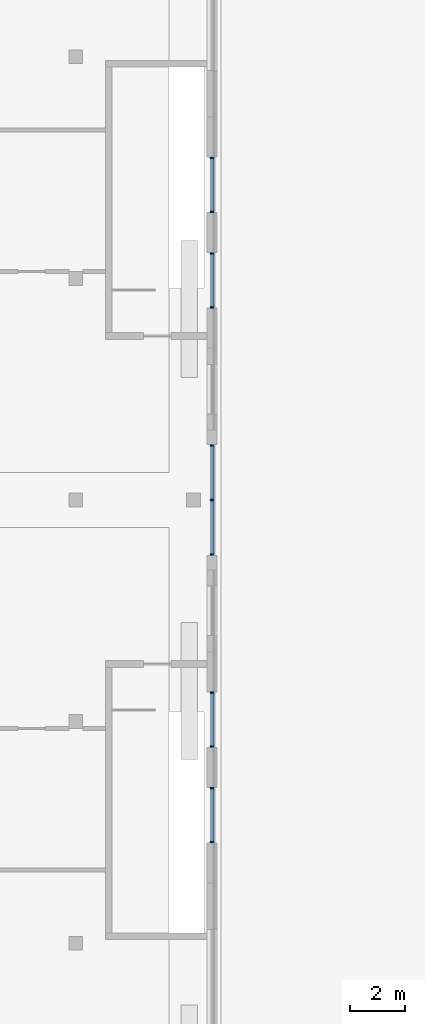
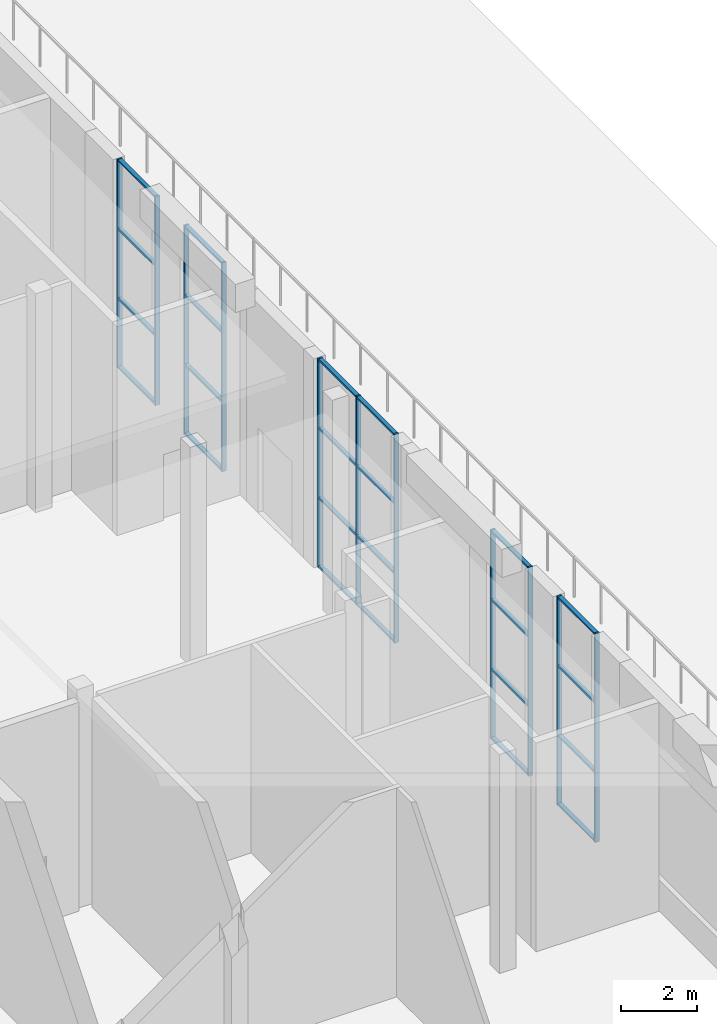
# One storey, part 3 of 21: 35 members, 5 elements without a shape of their own.
"""IFC4 building model written with IfcOpenShell, lengths in metres."""

from ifc_helpers import new_model, si_unit, direction, frame, origin, origin_2d, place, context, subcontext, project, spatial, rectangle, extrude, material, material_profile, profile_set, type_object, element, aggregate, save


model = new_model("IFC4")

# Units and contexts
model_context = context("Model", 3, precision=1e-05, world=origin(), true_north=direction((0.0, 1.0)))
body_context = subcontext(model_context, "Body", "Model", "MODEL_VIEW")
ifc_project = project(units=[si_unit("LENGTHUNIT", "METRE"), si_unit("AREAUNIT", "SQUARE_METRE"), si_unit("VOLUMEUNIT", "CUBIC_METRE"), si_unit("PLANEANGLEUNIT", "RADIAN"), si_unit("MASSUNIT", "GRAM", prefix="KILO")], contexts=[model_context])

# Site, building, storey
site_placement = place(None, origin())
site = spatial("IfcSite", under=ifc_project, at=site_placement, CompositionType="ELEMENT")
building_placement = place(site_placement, origin())
building = spatial("IfcBuilding", under=site, at=building_placement, Name="Torre Triforio", CompositionType="ELEMENT")
storey_placement = place(building_placement, frame((0.0, 0.0, 6.0)))
storey = spatial("IfcBuildingStorey", under=building, at=storey_placement, Name="L01", CompositionType="ELEMENT", Elevation=6.0)

# Curtain wall, members
ifc_material_1 = material(Name="Aluminium mullion and transom frame with clear laminated glass", Category="aluminium")
curtain_wall_type = type_object("IfcCurtainWallType", Name="Terrace lounge curtain wall ECW5", PredefinedType="NOTDEFINED", material=ifc_material_1)
curtain_wall_1_placement = place(storey_placement, origin())
curtain_wall_1 = element("IfcCurtainWall", 1, at=curtain_wall_1_placement, inside=storey, type_object=curtain_wall_type, Name="Terrace lounge curtain wall L01 09.1.2.1", PredefinedType="NOTDEFINED")
ifc_material_2 = material(Name="Anodised aluminium extrusion", Category="aluminium")
ifc_material_profile_1 = material_profile(ifc_material_2, rectangle(XDim=0.139892578125, YDim=0.054931640625, at=origin_2d()), Name="ECW5 MULLION 55x140")
ifc_profile_set_1 = profile_set([ifc_material_profile_1], Name="Anodised aluminium extrusion")
member_type_1 = type_object("IfcMemberType", Name="ECW5 mullion 55 x 140", PredefinedType="MULLION", material=ifc_profile_set_1)
member_1_placement = place(storey_placement, frame((61.675048828125, -12.505859375, 0.0), z_axis=(0.0, 0.0, 1.0), x_axis=(-1.0, 0.0, 0.0)))
member_1 = element("IfcMember", 2, at=member_1_placement, type_object=member_type_1, Name="ECW5 mullion 1", PredefinedType="MULLION", context=body_context, shape_type="SweptSolid", body=[
    extrude(rectangle(XDim=0.139892578125, YDim=0.054931640625, at=origin_2d()), origin(), (0.0, 0.0, 1.0), 6.679931640625),
])
member_2_placement = place(storey_placement, frame((61.675048828125, -10.535888671875, 0.0), z_axis=(0.0, 0.0, 1.0), x_axis=(-1.0, 0.0, 0.0)))
member_2 = element("IfcMember", 3, at=member_2_placement, type_object=member_type_1, Name="ECW5 mullion 2", PredefinedType="MULLION", context=body_context, shape_type="SweptSolid", body=[
    extrude(rectangle(XDim=0.139892578125, YDim=0.054931640625, at=origin_2d()), origin(), (0.0, 0.0, 1.0), 6.679931640625),
])

curtain_wall_2_placement = place(storey_placement, origin())
curtain_wall_2 = element("IfcCurtainWall", 4, at=curtain_wall_2_placement, inside=storey, type_object=curtain_wall_type, Name="Terrace lounge curtain wall L01 09.1.2.2", PredefinedType="NOTDEFINED")
member_3_placement = place(storey_placement, frame((61.675048828125, -9.01416015625, 0.0), z_axis=(0.0, 0.0, 1.0), x_axis=(-1.0, 0.0, 0.0)))
member_3 = element("IfcMember", 5, at=member_3_placement, type_object=member_type_1, Name="ECW5 mullion 1", PredefinedType="MULLION", context=body_context, shape_type="SweptSolid", body=[
    extrude(rectangle(XDim=0.139892578125, YDim=0.054931640625, at=origin_2d()), origin(), (0.0, 0.0, 1.0), 6.679931640625),
])
member_4_placement = place(storey_placement, frame((61.675048828125, -7.044189453125, 0.0), z_axis=(0.0, 0.0, 1.0), x_axis=(-1.0, 0.0, 0.0)))
member_4 = element("IfcMember", 6, at=member_4_placement, type_object=member_type_1, Name="ECW5 mullion 2", PredefinedType="MULLION", context=body_context, shape_type="SweptSolid", body=[
    extrude(rectangle(XDim=0.139892578125, YDim=0.054931640625, at=origin_2d()), origin(), (0.0, 0.0, 1.0), 6.679931640625),
])

curtain_wall_3_placement = place(storey_placement, origin())
curtain_wall_3 = element("IfcCurtainWall", 7, at=curtain_wall_3_placement, inside=storey, type_object=curtain_wall_type, Name="Terrace lounge curtain wall L01 09.3.1.1", PredefinedType="NOTDEFINED")
member_5_placement = place(storey_placement, frame((61.675048828125, -1.99755859375, 0.0), z_axis=(0.0, 0.0, 1.0), x_axis=(-1.0, 0.0, 0.0)))
member_5 = element("IfcMember", 8, at=member_5_placement, type_object=member_type_1, Name="ECW5 mullion 1", PredefinedType="MULLION", context=body_context, shape_type="SweptSolid", body=[
    extrude(rectangle(XDim=0.139892578125, YDim=0.054931640625, at=origin_2d()), origin(), (0.0, 0.0, 1.0), 6.679931640625),
])
member_6_placement = place(storey_placement, frame((61.675048828125, 0.0, 0.0), z_axis=(0.0, 0.0, 1.0), x_axis=(-1.0, 0.0, 0.0)))
member_6 = element("IfcMember", 9, at=member_6_placement, type_object=member_type_1, Name="ECW5 mullion 2", PredefinedType="MULLION", context=body_context, shape_type="SweptSolid", body=[
    extrude(rectangle(XDim=0.139892578125, YDim=0.054931640625, at=origin_2d()), origin(), (0.0, 0.0, 1.0), 6.679931640625),
])
member_7_placement = place(storey_placement, frame((61.675048828125, 1.99755859375, 0.0), z_axis=(0.0, 0.0, 1.0), x_axis=(-1.0, 0.0, 0.0)))
member_7 = element("IfcMember", 10, at=member_7_placement, type_object=member_type_1, Name="ECW5 mullion 3", PredefinedType="MULLION", context=body_context, shape_type="SweptSolid", body=[
    extrude(rectangle(XDim=0.139892578125, YDim=0.054931640625, at=origin_2d()), origin(), (0.0, 0.0, 1.0), 6.679931640625),
])

curtain_wall_4_placement = place(storey_placement, origin())
curtain_wall_4 = element("IfcCurtainWall", 11, at=curtain_wall_4_placement, inside=storey, type_object=curtain_wall_type, Name="Terrace lounge curtain wall L01 09.5.1.1", PredefinedType="NOTDEFINED")
member_8_placement = place(storey_placement, frame((61.675048828125, 7.044189453125, 0.0), z_axis=(0.0, 0.0, 1.0), x_axis=(-1.0, 0.0, 0.0)))
member_8 = element("IfcMember", 12, at=member_8_placement, type_object=member_type_1, Name="ECW5 mullion 1", PredefinedType="MULLION", context=body_context, shape_type="SweptSolid", body=[
    extrude(rectangle(XDim=0.139892578125, YDim=0.054931640625, at=origin_2d()), origin(), (0.0, 0.0, 1.0), 6.679931640625),
])
member_9_placement = place(storey_placement, frame((61.675048828125, 9.01416015625, 0.0), z_axis=(0.0, 0.0, 1.0), x_axis=(-1.0, 0.0, 0.0)))
member_9 = element("IfcMember", 13, at=member_9_placement, type_object=member_type_1, Name="ECW5 mullion 2", PredefinedType="MULLION", context=body_context, shape_type="SweptSolid", body=[
    extrude(rectangle(XDim=0.139892578125, YDim=0.054931640625, at=origin_2d()), origin(), (0.0, 0.0, 1.0), 6.679931640625),
])

curtain_wall_5_placement = place(storey_placement, origin())
curtain_wall_5 = element("IfcCurtainWall", 14, at=curtain_wall_5_placement, inside=storey, type_object=curtain_wall_type, Name="Terrace lounge curtain wall L01 09.5.1.2", PredefinedType="NOTDEFINED")
member_10_placement = place(storey_placement, frame((61.675048828125, 10.535888671875, 0.0), z_axis=(0.0, 0.0, 1.0), x_axis=(-1.0, 0.0, 0.0)))
member_10 = element("IfcMember", 15, at=member_10_placement, type_object=member_type_1, Name="ECW5 mullion 1", PredefinedType="MULLION", context=body_context, shape_type="SweptSolid", body=[
    extrude(rectangle(XDim=0.139892578125, YDim=0.054931640625, at=origin_2d()), origin(), (0.0, 0.0, 1.0), 6.679931640625),
])
member_11_placement = place(storey_placement, frame((61.675048828125, 12.505859375, 0.0), z_axis=(0.0, 0.0, 1.0), x_axis=(-1.0, 0.0, 0.0)))
member_11 = element("IfcMember", 16, at=member_11_placement, type_object=member_type_1, Name="ECW5 mullion 2", PredefinedType="MULLION", context=body_context, shape_type="SweptSolid", body=[
    extrude(rectangle(XDim=0.139892578125, YDim=0.054931640625, at=origin_2d()), origin(), (0.0, 0.0, 1.0), 6.679931640625),
])

# Member
ifc_material_profile_2 = material_profile(ifc_material_2, rectangle(XDim=0.1201171875, YDim=0.06005859375, at=origin_2d()), Name="ECW5 TRANSOM 60x120")
ifc_profile_set_2 = profile_set([ifc_material_profile_2], Name="Anodised aluminium extrusion")
member_type_2 = type_object("IfcMemberType", Name="ECW5 transom 60 x 120", PredefinedType="USERDEFINED", material=ifc_profile_set_2)
member_12_placement = place(storey_placement, frame((61.675048828125, -12.478271484375, 0.030029296875), z_axis=(0.0, 1.0, 0.0), x_axis=(-1.0, 0.0, 0.0)))
member_12 = element("IfcMember", 17, at=member_12_placement, type_object=member_type_2, Name="ECW5 transom 1.1", ObjectType="TRANSOM", PredefinedType="USERDEFINED", context=body_context, shape_type="SweptSolid", body=[
    extrude(rectangle(XDim=0.1201171875, YDim=0.06005859375, at=origin_2d()), origin(), (0.0, 0.0, 1.0), 1.9150390625),
])

member_13_placement = place(storey_placement, frame((61.675048828125, -12.478271484375, 2.226806640625), z_axis=(0.0, 1.0, 0.0), x_axis=(-1.0, 0.0, 0.0)))
member_13 = element("IfcMember", 18, at=member_13_placement, type_object=member_type_2, Name="ECW5 transom 1.2", ObjectType="TRANSOM", PredefinedType="USERDEFINED", context=body_context, shape_type="SweptSolid", body=[
    extrude(rectangle(XDim=0.1201171875, YDim=0.06005859375, at=origin_2d()), origin(), (0.0, 0.0, 1.0), 1.9150390625),
])

member_14_placement = place(storey_placement, frame((61.675048828125, -12.478271484375, 4.453369140625), z_axis=(0.0, 1.0, 0.0), x_axis=(-1.0, 0.0, 0.0)))
member_14 = element("IfcMember", 19, at=member_14_placement, type_object=member_type_2, Name="ECW5 transom 1.3", ObjectType="TRANSOM", PredefinedType="USERDEFINED", context=body_context, shape_type="SweptSolid", body=[
    extrude(rectangle(XDim=0.1201171875, YDim=0.06005859375, at=origin_2d()), origin(), (0.0, 0.0, 1.0), 1.9150390625),
])

member_15_placement = place(storey_placement, frame((61.675048828125, -12.478271484375, 6.64990234375), z_axis=(0.0, 1.0, 0.0), x_axis=(-1.0, 0.0, 0.0)))
member_15 = element("IfcMember", 20, at=member_15_placement, type_object=member_type_2, Name="ECW5 transom 1.4", ObjectType="TRANSOM", PredefinedType="USERDEFINED", context=body_context, shape_type="SweptSolid", body=[
    extrude(rectangle(XDim=0.1201171875, YDim=0.06005859375, at=origin_2d()), origin(), (0.0, 0.0, 1.0), 1.9150390625),
])

aggregate(curtain_wall_1, [member_1, member_2, member_12, member_13, member_14, member_15])

member_16_placement = place(storey_placement, frame((61.675048828125, -8.98681640625, 0.030029296875), z_axis=(0.0, 1.0, 0.0), x_axis=(-1.0, 0.0, 0.0)))
member_16 = element("IfcMember", 21, at=member_16_placement, type_object=member_type_2, Name="ECW5 transom 1.1", ObjectType="TRANSOM", PredefinedType="USERDEFINED", context=body_context, shape_type="SweptSolid", body=[
    extrude(rectangle(XDim=0.1201171875, YDim=0.06005859375, at=origin_2d()), origin(), (0.0, 0.0, 1.0), 1.9150390625),
])

member_17_placement = place(storey_placement, frame((61.675048828125, -8.98681640625, 2.226806640625), z_axis=(0.0, 1.0, 0.0), x_axis=(-1.0, 0.0, 0.0)))
member_17 = element("IfcMember", 22, at=member_17_placement, type_object=member_type_2, Name="ECW5 transom 1.2", ObjectType="TRANSOM", PredefinedType="USERDEFINED", context=body_context, shape_type="SweptSolid", body=[
    extrude(rectangle(XDim=0.1201171875, YDim=0.06005859375, at=origin_2d()), origin(), (0.0, 0.0, 1.0), 1.9150390625),
])

member_18_placement = place(storey_placement, frame((61.675048828125, -8.98681640625, 4.453369140625), z_axis=(0.0, 1.0, 0.0), x_axis=(-1.0, 0.0, 0.0)))
member_18 = element("IfcMember", 23, at=member_18_placement, type_object=member_type_2, Name="ECW5 transom 1.3", ObjectType="TRANSOM", PredefinedType="USERDEFINED", context=body_context, shape_type="SweptSolid", body=[
    extrude(rectangle(XDim=0.1201171875, YDim=0.06005859375, at=origin_2d()), origin(), (0.0, 0.0, 1.0), 1.9150390625),
])

member_19_placement = place(storey_placement, frame((61.675048828125, -8.98681640625, 6.64990234375), z_axis=(0.0, 1.0, 0.0), x_axis=(-1.0, 0.0, 0.0)))
member_19 = element("IfcMember", 24, at=member_19_placement, type_object=member_type_2, Name="ECW5 transom 1.4", ObjectType="TRANSOM", PredefinedType="USERDEFINED", context=body_context, shape_type="SweptSolid", body=[
    extrude(rectangle(XDim=0.1201171875, YDim=0.06005859375, at=origin_2d()), origin(), (0.0, 0.0, 1.0), 1.9150390625),
])

aggregate(curtain_wall_2, [member_3, member_4, member_16, member_17, member_18, member_19])

member_20_placement = place(storey_placement, frame((61.675048828125, -1.969970703125, 0.030029296875), z_axis=(0.0, 1.0, 0.0), x_axis=(-1.0, 0.0, 0.0)))
member_20 = element("IfcMember", 25, at=member_20_placement, type_object=member_type_2, Name="ECW5 transom 1.1", ObjectType="TRANSOM", PredefinedType="USERDEFINED", context=body_context, shape_type="SweptSolid", body=[
    extrude(rectangle(XDim=0.1201171875, YDim=0.06005859375, at=origin_2d()), origin(), (0.0, 0.0, 1.0), 1.9423828125),
])

member_21_placement = place(storey_placement, frame((61.675048828125, -1.969970703125, 2.226806640625), z_axis=(0.0, 1.0, 0.0), x_axis=(-1.0, 0.0, 0.0)))
member_21 = element("IfcMember", 26, at=member_21_placement, type_object=member_type_2, Name="ECW5 transom 1.2", ObjectType="TRANSOM", PredefinedType="USERDEFINED", context=body_context, shape_type="SweptSolid", body=[
    extrude(rectangle(XDim=0.1201171875, YDim=0.06005859375, at=origin_2d()), origin(), (0.0, 0.0, 1.0), 1.9423828125),
])

member_22_placement = place(storey_placement, frame((61.675048828125, -1.969970703125, 4.453369140625), z_axis=(0.0, 1.0, 0.0), x_axis=(-1.0, 0.0, 0.0)))
member_22 = element("IfcMember", 27, at=member_22_placement, type_object=member_type_2, Name="ECW5 transom 1.3", ObjectType="TRANSOM", PredefinedType="USERDEFINED", context=body_context, shape_type="SweptSolid", body=[
    extrude(rectangle(XDim=0.1201171875, YDim=0.06005859375, at=origin_2d()), origin(), (0.0, 0.0, 1.0), 1.9423828125),
])

member_23_placement = place(storey_placement, frame((61.675048828125, -1.969970703125, 6.64990234375), z_axis=(0.0, 1.0, 0.0), x_axis=(-1.0, 0.0, 0.0)))
member_23 = element("IfcMember", 28, at=member_23_placement, type_object=member_type_2, Name="ECW5 transom 1.4", ObjectType="TRANSOM", PredefinedType="USERDEFINED", context=body_context, shape_type="SweptSolid", body=[
    extrude(rectangle(XDim=0.1201171875, YDim=0.06005859375, at=origin_2d()), origin(), (0.0, 0.0, 1.0), 1.9423828125),
])

member_24_placement = place(storey_placement, frame((61.675048828125, 0.027587890625, 0.030029296875), z_axis=(0.0, 1.0, 0.0), x_axis=(-1.0, 0.0, 0.0)))
member_24 = element("IfcMember", 29, at=member_24_placement, type_object=member_type_2, Name="ECW5 transom 2.1", ObjectType="TRANSOM", PredefinedType="USERDEFINED", context=body_context, shape_type="SweptSolid", body=[
    extrude(rectangle(XDim=0.1201171875, YDim=0.06005859375, at=origin_2d()), origin(), (0.0, 0.0, 1.0), 1.9423828125),
])

member_25_placement = place(storey_placement, frame((61.675048828125, 0.027587890625, 2.226806640625), z_axis=(0.0, 1.0, 0.0), x_axis=(-1.0, 0.0, 0.0)))
member_25 = element("IfcMember", 30, at=member_25_placement, type_object=member_type_2, Name="ECW5 transom 2.2", ObjectType="TRANSOM", PredefinedType="USERDEFINED", context=body_context, shape_type="SweptSolid", body=[
    extrude(rectangle(XDim=0.1201171875, YDim=0.06005859375, at=origin_2d()), origin(), (0.0, 0.0, 1.0), 1.9423828125),
])

member_26_placement = place(storey_placement, frame((61.675048828125, 0.027587890625, 4.453369140625), z_axis=(0.0, 1.0, 0.0), x_axis=(-1.0, 0.0, 0.0)))
member_26 = element("IfcMember", 31, at=member_26_placement, type_object=member_type_2, Name="ECW5 transom 2.3", ObjectType="TRANSOM", PredefinedType="USERDEFINED", context=body_context, shape_type="SweptSolid", body=[
    extrude(rectangle(XDim=0.1201171875, YDim=0.06005859375, at=origin_2d()), origin(), (0.0, 0.0, 1.0), 1.9423828125),
])

member_27_placement = place(storey_placement, frame((61.675048828125, 0.027587890625, 6.64990234375), z_axis=(0.0, 1.0, 0.0), x_axis=(-1.0, 0.0, 0.0)))
member_27 = element("IfcMember", 32, at=member_27_placement, type_object=member_type_2, Name="ECW5 transom 2.4", ObjectType="TRANSOM", PredefinedType="USERDEFINED", context=body_context, shape_type="SweptSolid", body=[
    extrude(rectangle(XDim=0.1201171875, YDim=0.06005859375, at=origin_2d()), origin(), (0.0, 0.0, 1.0), 1.9423828125),
])

aggregate(curtain_wall_3, [member_5, member_6, member_7, member_20, member_21, member_22, member_23, member_24, member_25, member_26, member_27])

member_28_placement = place(storey_placement, frame((61.675048828125, 7.07177734375, 0.030029296875), z_axis=(0.0, 1.0, 0.0), x_axis=(-1.0, 0.0, 0.0)))
member_28 = element("IfcMember", 33, at=member_28_placement, type_object=member_type_2, Name="ECW5 transom 1.1", ObjectType="TRANSOM", PredefinedType="USERDEFINED", context=body_context, shape_type="SweptSolid", body=[
    extrude(rectangle(XDim=0.1201171875, YDim=0.06005859375, at=origin_2d()), origin(), (0.0, 0.0, 1.0), 1.9150390625),
])

member_29_placement = place(storey_placement, frame((61.675048828125, 7.07177734375, 2.226806640625), z_axis=(0.0, 1.0, 0.0), x_axis=(-1.0, 0.0, 0.0)))
member_29 = element("IfcMember", 34, at=member_29_placement, type_object=member_type_2, Name="ECW5 transom 1.2", ObjectType="TRANSOM", PredefinedType="USERDEFINED", context=body_context, shape_type="SweptSolid", body=[
    extrude(rectangle(XDim=0.1201171875, YDim=0.06005859375, at=origin_2d()), origin(), (0.0, 0.0, 1.0), 1.9150390625),
])

member_30_placement = place(storey_placement, frame((61.675048828125, 7.07177734375, 4.453369140625), z_axis=(0.0, 1.0, 0.0), x_axis=(-1.0, 0.0, 0.0)))
member_30 = element("IfcMember", 35, at=member_30_placement, type_object=member_type_2, Name="ECW5 transom 1.3", ObjectType="TRANSOM", PredefinedType="USERDEFINED", context=body_context, shape_type="SweptSolid", body=[
    extrude(rectangle(XDim=0.1201171875, YDim=0.06005859375, at=origin_2d()), origin(), (0.0, 0.0, 1.0), 1.9150390625),
])

member_31_placement = place(storey_placement, frame((61.675048828125, 7.07177734375, 6.64990234375), z_axis=(0.0, 1.0, 0.0), x_axis=(-1.0, 0.0, 0.0)))
member_31 = element("IfcMember", 36, at=member_31_placement, type_object=member_type_2, Name="ECW5 transom 1.4", ObjectType="TRANSOM", PredefinedType="USERDEFINED", context=body_context, shape_type="SweptSolid", body=[
    extrude(rectangle(XDim=0.1201171875, YDim=0.06005859375, at=origin_2d()), origin(), (0.0, 0.0, 1.0), 1.9150390625),
])

aggregate(curtain_wall_4, [member_8, member_9, member_28, member_29, member_30, member_31])

member_32_placement = place(storey_placement, frame((61.675048828125, 10.563232421875, 0.030029296875), z_axis=(0.0, 1.0, 0.0), x_axis=(-1.0, 0.0, 0.0)))
member_32 = element("IfcMember", 37, at=member_32_placement, type_object=member_type_2, Name="ECW5 transom 1.1", ObjectType="TRANSOM", PredefinedType="USERDEFINED", context=body_context, shape_type="SweptSolid", body=[
    extrude(rectangle(XDim=0.1201171875, YDim=0.06005859375, at=origin_2d()), origin(), (0.0, 0.0, 1.0), 1.9150390625),
])

member_33_placement = place(storey_placement, frame((61.675048828125, 10.563232421875, 2.226806640625), z_axis=(0.0, 1.0, 0.0), x_axis=(-1.0, 0.0, 0.0)))
member_33 = element("IfcMember", 38, at=member_33_placement, type_object=member_type_2, Name="ECW5 transom 1.2", ObjectType="TRANSOM", PredefinedType="USERDEFINED", context=body_context, shape_type="SweptSolid", body=[
    extrude(rectangle(XDim=0.1201171875, YDim=0.06005859375, at=origin_2d()), origin(), (0.0, 0.0, 1.0), 1.9150390625),
])

member_34_placement = place(storey_placement, frame((61.675048828125, 10.563232421875, 4.453369140625), z_axis=(0.0, 1.0, 0.0), x_axis=(-1.0, 0.0, 0.0)))
member_34 = element("IfcMember", 39, at=member_34_placement, type_object=member_type_2, Name="ECW5 transom 1.3", ObjectType="TRANSOM", PredefinedType="USERDEFINED", context=body_context, shape_type="SweptSolid", body=[
    extrude(rectangle(XDim=0.1201171875, YDim=0.06005859375, at=origin_2d()), origin(), (0.0, 0.0, 1.0), 1.9150390625),
])

member_35_placement = place(storey_placement, frame((61.675048828125, 10.563232421875, 6.64990234375), z_axis=(0.0, 1.0, 0.0), x_axis=(-1.0, 0.0, 0.0)))
member_35 = element("IfcMember", 40, at=member_35_placement, type_object=member_type_2, Name="ECW5 transom 1.4", ObjectType="TRANSOM", PredefinedType="USERDEFINED", context=body_context, shape_type="SweptSolid", body=[
    extrude(rectangle(XDim=0.1201171875, YDim=0.06005859375, at=origin_2d()), origin(), (0.0, 0.0, 1.0), 1.9150390625),
])

aggregate(curtain_wall_5, [member_10, member_11, member_32, member_33, member_34, member_35])

save(model, "model.ifc")
